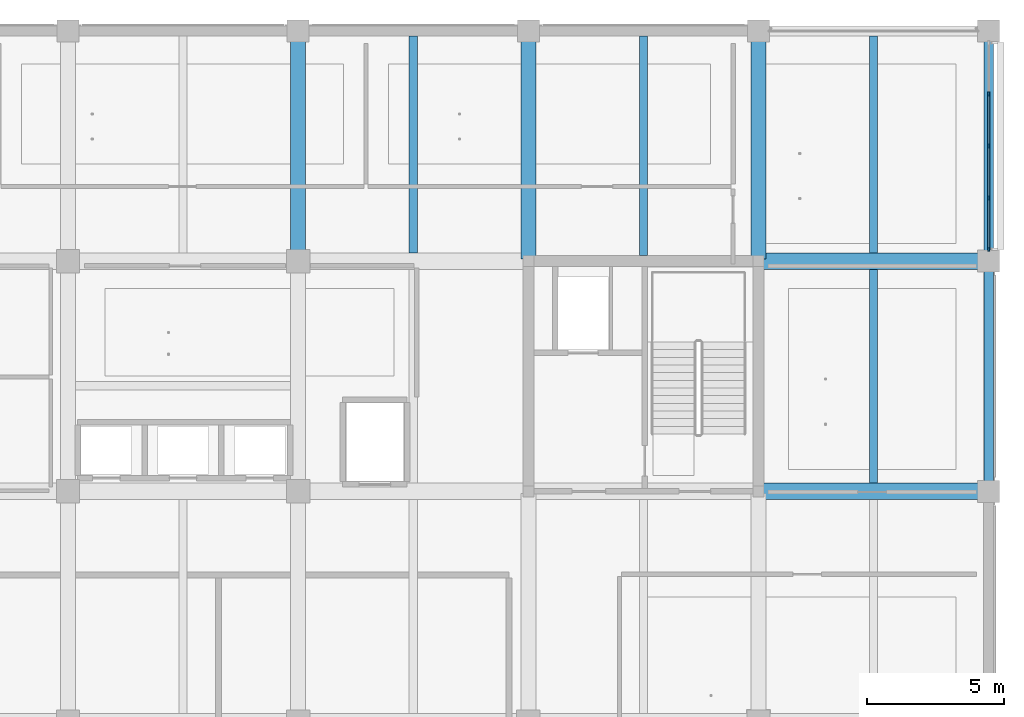
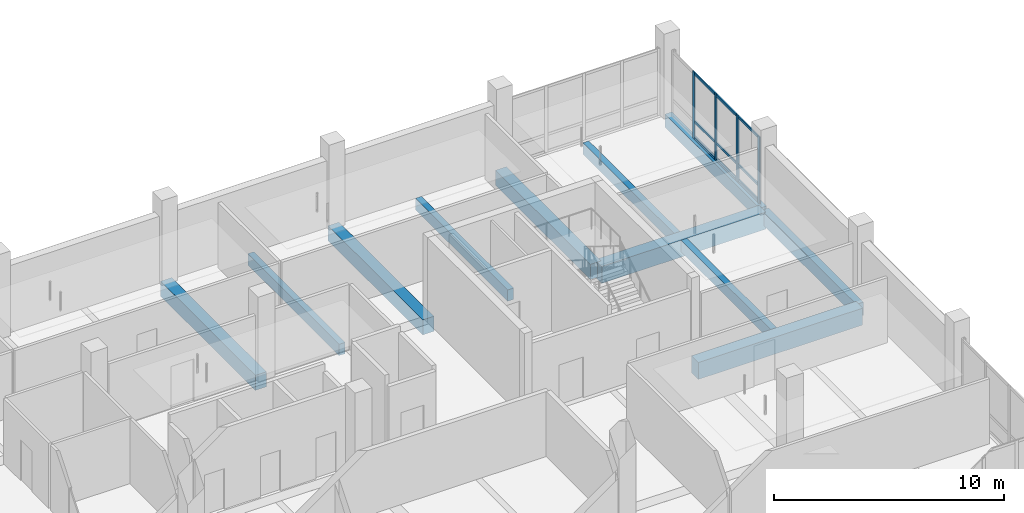
# One storey, part 7 of 35: 13 members, 11 beams, 1 element without a shape of its own.
"""IFC4 building model written with IfcOpenShell, lengths in metres."""

from ifc_helpers import new_model, si_unit, direction, frame, origin, origin_2d, place, context, subcontext, project, spatial, rectangle, extrude, material, layer, layer_set, material_profile, profile_set, type_object, element, aggregate, save


model = new_model("IFC4")

# Units and contexts
model_context = context("Model", 3, precision=1e-05, world=origin(), true_north=direction((0.0, 1.0)))
body_context = subcontext(model_context, "Body", "Model", "MODEL_VIEW")
ifc_project = project(units=[si_unit("LENGTHUNIT", "METRE"), si_unit("AREAUNIT", "SQUARE_METRE"), si_unit("VOLUMEUNIT", "CUBIC_METRE"), si_unit("PLANEANGLEUNIT", "RADIAN"), si_unit("MASSUNIT", "GRAM", prefix="KILO")], contexts=[model_context])

# Site, building, storey
site_placement = place(None, origin())
site = spatial("IfcSite", under=ifc_project, at=site_placement, CompositionType="ELEMENT")
building_placement = place(site_placement, origin())
building = spatial("IfcBuilding", under=site, at=building_placement, Name="Telukmera Botanical Conservatory", CompositionType="ELEMENT")
storey_placement = place(building_placement, frame((0.0, 0.0, 28.5)))
storey = spatial("IfcBuildingStorey", under=building, at=storey_placement, Name="L06", CompositionType="ELEMENT", Elevation=28.5)

# Beams
ifc_material_1 = material(Name="Concrete C40/50", Category="concrete")
ifc_material_profile_1 = material_profile(ifc_material_1, rectangle(XDim=0.550048828125, YDim=0.800048828125, at=origin_2d()), Name="RC 550x800")
ifc_profile_set_1 = profile_set([ifc_material_profile_1], Name="Concrete C40/50")
beam_type_1 = type_object("IfcBeamType", Name="Beam_B12", PredefinedType="BEAM", material=ifc_profile_set_1)
for number, where, z_axis, x_axis, name in (
    (1, (84.0, 34.47998046875, -0.39990234375), (0.0, 1.0, 0.0), (-1.0, 0.0, 0.0), "Tower Transverse Beam L06"),
    (2, (92.39990234375, 34.47998046875, -0.39990234375), (0.0, 1.0, 0.0), (-1.0, 0.0, 0.0), "Tower Transverse Beam L06"),
    (3, (100.800048828125, 34.47998046875, -0.39990234375), (0.0, 1.0, 0.0), (-1.0, 0.0, 0.0), "Tower Transverse Beam L06"),
):
    element("IfcBeam", number, at=place(storey_placement, frame(where, z_axis=z_axis, x_axis=x_axis)), inside=storey, type_object=beam_type_1, Name=name, PredefinedType="BEAM", context=body_context, shape_type="SweptSolid", body=[
        extrude(rectangle(XDim=0.550048828125, YDim=0.800048828125, at=origin_2d()), origin(), (0.0, 0.0, 1.0), 8.239990234375),
    ])
ifc_material_profile_2 = material_profile(ifc_material_1, rectangle(XDim=0.300048828125, YDim=0.60009765625, at=origin_2d()), Name="RC 300x600")
ifc_profile_set_2 = profile_set([ifc_material_profile_2], Name="Concrete C40/50")
beam_type_2 = type_object("IfcBeamType", Name="Beam_B23", PredefinedType="JOIST", material=ifc_profile_set_2)
beam_1_placement = place(storey_placement, frame((88.199951171875, 34.699951171875, -0.300048828125), z_axis=(0.0, 1.0, 0.0), x_axis=(-1.0, 0.0, 0.0)))
element("IfcBeam", 4, at=beam_1_placement, inside=storey, type_object=beam_type_2, Name="Tower Secondary Floor Joist L06", PredefinedType="JOIST", context=body_context, shape_type="SweptSolid", body=[
    extrude(rectangle(XDim=0.300048828125, YDim=0.60009765625, at=origin_2d()), origin(), (0.0, 0.0, 1.0), 7.925048828125),
])
beam_2_placement = place(storey_placement, frame((96.60009765625, 34.60009765625, -0.300048828125), z_axis=(0.0, 1.0, 0.0), x_axis=(-1.0, 0.0, 0.0)))
element("IfcBeam", 5, at=beam_2_placement, inside=storey, type_object=beam_type_2, Name="Tower Secondary Floor Joist L06", PredefinedType="JOIST", context=body_context, shape_type="SweptSolid", body=[
    extrude(rectangle(XDim=0.300048828125, YDim=0.60009765625, at=origin_2d()), origin(), (0.0, 0.0, 1.0), 8.02490234375),
])
beam_3_placement = place(storey_placement, frame((105.0, 26.300048828125, -0.300048828125), z_axis=(0.0, 1.0, 0.0), x_axis=(-1.0, 0.0, 0.0)))
element("IfcBeam", 6, at=beam_3_placement, inside=storey, type_object=beam_type_2, Name="Tower Secondary Floor Joist L06", PredefinedType="JOIST", context=body_context, shape_type="SweptSolid", body=[
    extrude(rectangle(XDim=0.300048828125, YDim=0.60009765625, at=origin_2d()), origin(), (0.0, 0.0, 1.0), 7.800048828125),
])
beam_4_placement = place(storey_placement, frame((105.0, 34.699951171875, -0.300048828125), z_axis=(0.0, 1.0, 0.0), x_axis=(-1.0, 0.0, 0.0)))
element("IfcBeam", 7, at=beam_4_placement, inside=storey, type_object=beam_type_2, Name="Tower Secondary Floor Joist L06", PredefinedType="JOIST", context=body_context, shape_type="SweptSolid", body=[
    extrude(rectangle(XDim=0.300048828125, YDim=0.60009765625, at=origin_2d()), origin(), (0.0, 0.0, 1.0), 7.925048828125),
])
ifc_material_profile_3 = material_profile(ifc_material_1, rectangle(XDim=0.60009765625, YDim=0.89990234375, at=origin_2d()), Name="RC 600x900")
ifc_profile_set_3 = profile_set([ifc_material_profile_3], Name="Concrete C40/50")
beam_type_3 = type_object("IfcBeamType", Name="Beam_B3", PredefinedType="BEAM", material=ifc_profile_set_3)
for number, where, z_axis, x_axis, name in (
    (8, (100.8798828125, 26.0, -0.449951171875), (1.0, 0.0, 0.0), (0.0, 1.0, 0.0), "Tower Grid Beam L06"),
    (9, (100.8798828125, 34.39990234375, -0.449951171875), (1.0, 0.0, 0.0), (0.0, 1.0, 0.0), "Tower Grid Beam L06"),
):
    element("IfcBeam", number, at=place(storey_placement, frame(where, z_axis=z_axis, x_axis=x_axis)), inside=storey, type_object=beam_type_3, Name=name, PredefinedType="BEAM", context=body_context, shape_type="SweptSolid", body=[
        extrude(rectangle(XDim=0.60009765625, YDim=0.89990234375, at=origin_2d()), origin(), (0.0, 0.0, 1.0), 8.240234375),
    ])
ifc_material_2 = material(Name="Precast concrete C40/50", Category="concrete")
ifc_material_profile_4 = material_profile(ifc_material_2, rectangle(XDim=0.35009765625, YDim=0.699951171875, at=origin_2d()), Name="PC 350x700")
ifc_profile_set_4 = profile_set([ifc_material_profile_4], Name="Precast concrete C40/50")
beam_type_4 = type_object("IfcBeamType", Name="Beam_SP2", PredefinedType="SPANDREL", material=ifc_profile_set_4)
for number, where, z_axis, x_axis, name in (
    (10, (109.199951171875, 26.080078125, -0.35009765625), (0.0, 1.0, 0.0), (-1.0, 0.0, 0.0), "Tower Transverse Beam L06"),
    (11, (109.199951171875, 34.47998046875, -0.35009765625), (0.0, 1.0, 0.0), (-1.0, 0.0, 0.0), "Tower Transverse Beam L06"),
):
    element("IfcBeam", number, at=place(storey_placement, frame(where, z_axis=z_axis, x_axis=x_axis)), inside=storey, type_object=beam_type_4, Name=name, PredefinedType="SPANDREL", context=body_context, shape_type="SweptSolid", body=[
        extrude(rectangle(XDim=0.35009765625, YDim=0.699951171875, at=origin_2d()), origin(), (0.0, 0.0, 1.0), 8.239990234375),
    ])

# Curtain wall, members
ifc_material_3 = material(Name="Anodised aluminium 6063-T6", Category="aluminium")
ifc_layer = layer(ifc_material_3, 0.179931640625)
ifc_layer_set = layer_set([ifc_layer], Name="Anodised aluminium 6063-T6")
curtain_wall_type = type_object("IfcCurtainWallType", Name="Tower Herbarium Curation Corner Curtain Wall", PredefinedType="USERDEFINED", material=ifc_layer_set)
curtain_wall_placement = place(storey_placement, origin())
curtain_wall = element("IfcCurtainWall", 12, at=curtain_wall_placement, inside=storey, type_object=curtain_wall_type, Name="Unitised Curtain Wall CW14 V4:L06:E4", ObjectType="UNITISED CURTAIN WALL", PredefinedType="USERDEFINED")
ifc_material_profile_5 = material_profile(ifc_material_3, rectangle(XDim=0.06494140625, YDim=0.159912109375, at=origin_2d()), Name="ALU MULL 65x160")
ifc_profile_set_5 = profile_set([ifc_material_profile_5], Name="Anodised aluminium 6063-T6")
member_type_1 = type_object("IfcMemberType", Name="Curtain Wall Extruded Mullion 65x160", PredefinedType="MULLION", material=ifc_profile_set_5)
member_1_placement = place(storey_placement, frame((109.199951171875, 34.83447265625, 0.0), z_axis=(0.0, 0.0, 1.0), x_axis=(-1.0, 0.0, 0.0)))
member_1 = element("IfcMember", 13, at=member_1_placement, type_object=member_type_1, Name="CW14 mullion 1", PredefinedType="MULLION", context=body_context, shape_type="SweptSolid", body=[
    extrude(rectangle(XDim=0.06494140625, YDim=0.159912109375, at=origin_2d()), origin(), (0.0, 0.0, 1.0), 3.550048828125),
])
member_2_placement = place(storey_placement, frame((109.199951171875, 36.700927734375, 0.0), z_axis=(0.0, 0.0, 1.0), x_axis=(-1.0, 0.0, 0.0)))
member_2 = element("IfcMember", 14, at=member_2_placement, type_object=member_type_1, Name="CW14 mullion 2", PredefinedType="MULLION", context=body_context, shape_type="SweptSolid", body=[
    extrude(rectangle(XDim=0.06494140625, YDim=0.159912109375, at=origin_2d()), origin(), (0.0, 0.0, 1.0), 3.550048828125),
])
member_3_placement = place(storey_placement, frame((109.199951171875, 38.60009765625, 0.0), z_axis=(0.0, 0.0, 1.0), x_axis=(-1.0, 0.0, 0.0)))
member_3 = element("IfcMember", 15, at=member_3_placement, type_object=member_type_1, Name="CW14 mullion 3", PredefinedType="MULLION", context=body_context, shape_type="SweptSolid", body=[
    extrude(rectangle(XDim=0.06494140625, YDim=0.159912109375, at=origin_2d()), origin(), (0.0, 0.0, 1.0), 3.550048828125),
])
member_4_placement = place(storey_placement, frame((109.199951171875, 40.4990234375, 0.0), z_axis=(0.0, 0.0, 1.0), x_axis=(-1.0, 0.0, 0.0)))
member_4 = element("IfcMember", 16, at=member_4_placement, type_object=member_type_1, Name="CW14 mullion 4", PredefinedType="MULLION", context=body_context, shape_type="SweptSolid", body=[
    extrude(rectangle(XDim=0.06494140625, YDim=0.159912109375, at=origin_2d()), origin(), (0.0, 0.0, 1.0), 3.550048828125),
])
ifc_material_profile_6 = material_profile(ifc_material_3, rectangle(XDim=0.06494140625, YDim=0.1298828125, at=origin_2d()), Name="ALU TRAN 65x130")
ifc_profile_set_6 = profile_set([ifc_material_profile_6], Name="Anodised aluminium 6063-T6")
member_type_2 = type_object("IfcMemberType", Name="Curtain Wall Extruded Transom 65x130", PredefinedType="USERDEFINED", material=ifc_profile_set_6)
member_5_placement = place(storey_placement, frame((109.199951171875, 34.866943359375, 0.06494140625), z_axis=(0.0, 1.0, 0.0), x_axis=(-1.0, 0.0, 0.0)))
member_5 = element("IfcMember", 17, at=member_5_placement, type_object=member_type_2, Name="CW14 transom 1.1", ObjectType="TRANSOM", PredefinedType="USERDEFINED", context=body_context, shape_type="SweptSolid", body=[
    extrude(rectangle(XDim=0.06494140625, YDim=0.1298828125, at=origin_2d()), origin(), (0.0, 0.0, 1.0), 1.801513671875),
])
member_6_placement = place(storey_placement, frame((109.199951171875, 34.866943359375, 0.949951171875), z_axis=(0.0, 1.0, 0.0), x_axis=(-1.0, 0.0, 0.0)))
member_6 = element("IfcMember", 18, at=member_6_placement, type_object=member_type_2, Name="CW14 transom 1.2", ObjectType="TRANSOM", PredefinedType="USERDEFINED", context=body_context, shape_type="SweptSolid", body=[
    extrude(rectangle(XDim=0.06494140625, YDim=0.1298828125, at=origin_2d()), origin(), (0.0, 0.0, 1.0), 1.801513671875),
])
member_7_placement = place(storey_placement, frame((109.199951171875, 34.866943359375, 3.485107421875), z_axis=(0.0, 1.0, 0.0), x_axis=(-1.0, 0.0, 0.0)))
member_7 = element("IfcMember", 19, at=member_7_placement, type_object=member_type_2, Name="CW14 transom 1.3", ObjectType="TRANSOM", PredefinedType="USERDEFINED", context=body_context, shape_type="SweptSolid", body=[
    extrude(rectangle(XDim=0.06494140625, YDim=0.1298828125, at=origin_2d()), origin(), (0.0, 0.0, 1.0), 1.801513671875),
])
member_8_placement = place(storey_placement, frame((109.199951171875, 36.7333984375, 0.06494140625), z_axis=(0.0, 1.0, 0.0), x_axis=(-1.0, 0.0, 0.0)))
member_8 = element("IfcMember", 20, at=member_8_placement, type_object=member_type_2, Name="CW14 transom 2.1", ObjectType="TRANSOM", PredefinedType="USERDEFINED", context=body_context, shape_type="SweptSolid", body=[
    extrude(rectangle(XDim=0.06494140625, YDim=0.1298828125, at=origin_2d()), origin(), (0.0, 0.0, 1.0), 1.833984375),
])
member_9_placement = place(storey_placement, frame((109.199951171875, 36.7333984375, 0.949951171875), z_axis=(0.0, 1.0, 0.0), x_axis=(-1.0, 0.0, 0.0)))
member_9 = element("IfcMember", 21, at=member_9_placement, type_object=member_type_2, Name="CW14 transom 2.2", ObjectType="TRANSOM", PredefinedType="USERDEFINED", context=body_context, shape_type="SweptSolid", body=[
    extrude(rectangle(XDim=0.06494140625, YDim=0.1298828125, at=origin_2d()), origin(), (0.0, 0.0, 1.0), 1.833984375),
])
member_10_placement = place(storey_placement, frame((109.199951171875, 36.7333984375, 3.485107421875), z_axis=(0.0, 1.0, 0.0), x_axis=(-1.0, 0.0, 0.0)))
member_10 = element("IfcMember", 22, at=member_10_placement, type_object=member_type_2, Name="CW14 transom 2.3", ObjectType="TRANSOM", PredefinedType="USERDEFINED", context=body_context, shape_type="SweptSolid", body=[
    extrude(rectangle(XDim=0.06494140625, YDim=0.1298828125, at=origin_2d()), origin(), (0.0, 0.0, 1.0), 1.833984375),
])
member_11_placement = place(storey_placement, frame((109.199951171875, 38.632568359375, 0.06494140625), z_axis=(0.0, 1.0, 0.0), x_axis=(-1.0, 0.0, 0.0)))
member_11 = element("IfcMember", 23, at=member_11_placement, type_object=member_type_2, Name="CW14 transom 3.1", ObjectType="TRANSOM", PredefinedType="USERDEFINED", context=body_context, shape_type="SweptSolid", body=[
    extrude(rectangle(XDim=0.06494140625, YDim=0.1298828125, at=origin_2d()), origin(), (0.0, 0.0, 1.0), 1.833984375),
])
member_12_placement = place(storey_placement, frame((109.199951171875, 38.632568359375, 0.949951171875), z_axis=(0.0, 1.0, 0.0), x_axis=(-1.0, 0.0, 0.0)))
member_12 = element("IfcMember", 24, at=member_12_placement, type_object=member_type_2, Name="CW14 transom 3.2", ObjectType="TRANSOM", PredefinedType="USERDEFINED", context=body_context, shape_type="SweptSolid", body=[
    extrude(rectangle(XDim=0.06494140625, YDim=0.1298828125, at=origin_2d()), origin(), (0.0, 0.0, 1.0), 1.833984375),
])
member_13_placement = place(storey_placement, frame((109.199951171875, 38.632568359375, 3.485107421875), z_axis=(0.0, 1.0, 0.0), x_axis=(-1.0, 0.0, 0.0)))
member_13 = element("IfcMember", 25, at=member_13_placement, type_object=member_type_2, Name="CW14 transom 3.3", ObjectType="TRANSOM", PredefinedType="USERDEFINED", context=body_context, shape_type="SweptSolid", body=[
    extrude(rectangle(XDim=0.06494140625, YDim=0.1298828125, at=origin_2d()), origin(), (0.0, 0.0, 1.0), 1.833984375),
])
aggregate(curtain_wall, [member_1, member_2, member_3, member_4, member_5, member_6, member_7, member_8, member_9, member_10, member_11, member_12, member_13])

save(model, "model.ifc")
